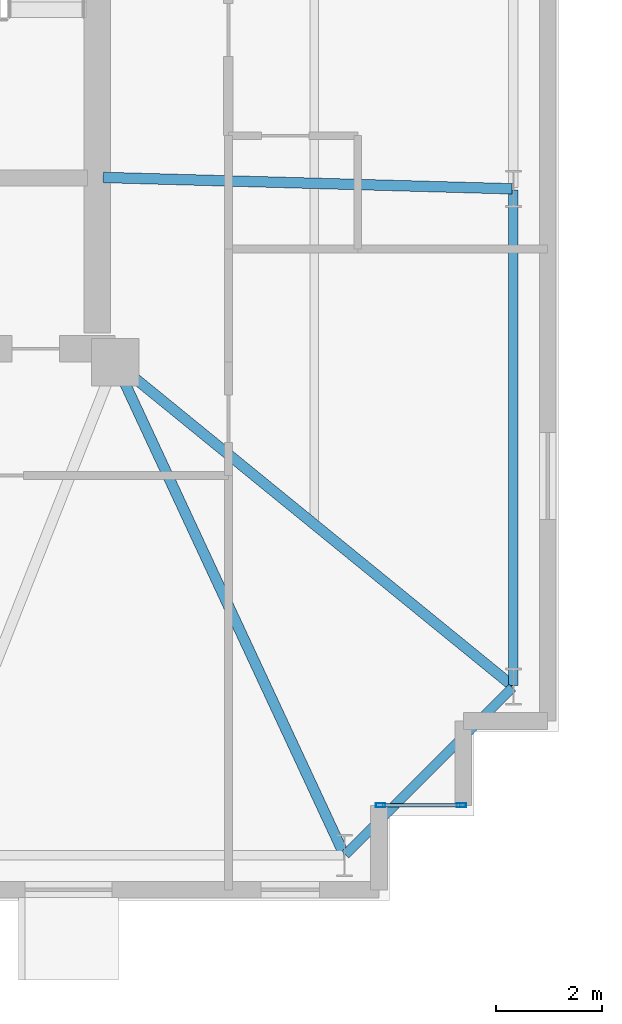
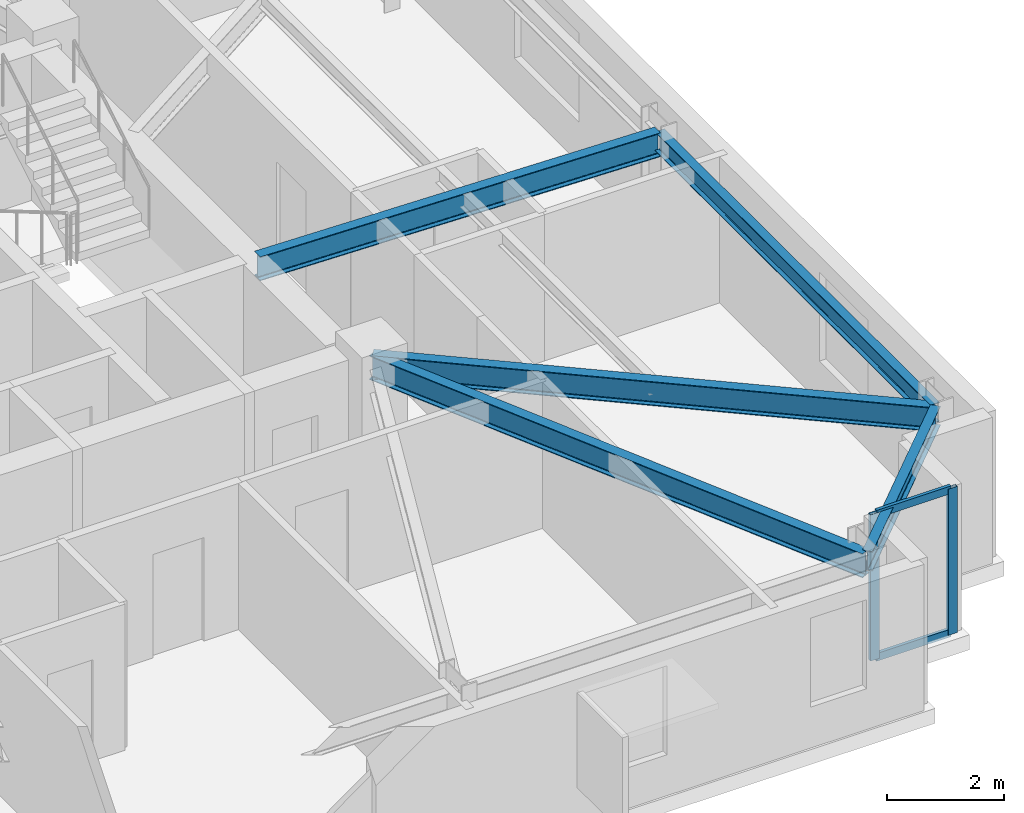
# One storey, part 5 of 18: 5 beams, 4 members, 1 element without a shape of its own.
"""IFC4 building model written with IfcOpenShell, lengths in metres."""

from ifc_helpers import new_model, si_unit, direction, frame, origin, origin_2d, place, context, subcontext, project, spatial, hollow_rectangle, i_section, extrude, material, layer, layer_set, material_profile, profile_set, type_object, element, aggregate, save


model = new_model("IFC4")

# Units and contexts
model_context = context("Model", 3, precision=1e-05, world=origin(), true_north=direction((0.0, 1.0)))
body_context = subcontext(model_context, "Body", "Model", "MODEL_VIEW")
ifc_project = project(units=[si_unit("LENGTHUNIT", "METRE"), si_unit("AREAUNIT", "SQUARE_METRE"), si_unit("VOLUMEUNIT", "CUBIC_METRE"), si_unit("PLANEANGLEUNIT", "RADIAN"), si_unit("MASSUNIT", "GRAM", prefix="KILO")], contexts=[model_context])

# Site, building, storey
site_placement = place(None, origin())
site = spatial("IfcSite", under=ifc_project, at=site_placement, CompositionType="ELEMENT")
building_placement = place(site_placement, origin())
building = spatial("IfcBuilding", under=site, at=building_placement, Name="Qobustan Lattice House", CompositionType="ELEMENT")
storey_placement = place(building_placement, frame((0.0, 0.0, 154.449951171875)))
storey = spatial("IfcBuildingStorey", under=building, at=storey_placement, Name="L43", CompositionType="ELEMENT", Elevation=154.449951171875)

# Beams
ifc_material_1 = material(Name="Steel S355", Category="steel")
ifc_material_profile_1 = material_profile(ifc_material_1, i_section(OverallWidth=0.199951171875, OverallDepth=0.5, WebThickness=0.01025390625, FlangeThickness=0.01611328125, FilletRadius=0.02099609375, at=origin_2d()), Name="IPE500")
ifc_profile_set_1 = profile_set([ifc_material_profile_1], Name="Steel S355")
beam_type_1 = type_object("IfcBeamType", Name="BM-FLG-IPE500", PredefinedType="USERDEFINED", material=ifc_profile_set_1)
beam_1_placement = place(storey_placement, frame((23.139404296875, -14.92724609375, 2.7900390625), z_axis=(-0.421827633168, 0.906676043521, 0.0), x_axis=(-0.906676043521, -0.421827633168, 0.0)))
element("IfcBeam", 1, at=beam_1_placement, inside=storey, type_object=beam_type_1, Name="L43 primary floor girder RAD-S7E", ObjectType="GIRDER", PredefinedType="USERDEFINED", context=body_context, shape_type="SweptSolid", body=[
    extrude(i_section(OverallWidth=0.199951171875, OverallDepth=0.5, WebThickness=0.01025390625, FlangeThickness=0.01611328125, FilletRadius=0.02099609375, at=origin_2d()), origin(), (0.0, 0.0, 1.0), 10.26220703125),
])
beam_2_placement = place(storey_placement, frame((26.324951171875, -2.31591796875, 2.7900390625), z_axis=(-0.999614226396, 0.027774059592, 0.0), x_axis=(-0.027774059592, -0.999614226396, 0.0)))
element("IfcBeam", 2, at=beam_2_placement, inside=storey, type_object=beam_type_1, Name="L43 primary floor girder RAD-E2", ObjectType="GIRDER", PredefinedType="USERDEFINED", context=body_context, shape_type="SweptSolid", body=[
    extrude(i_section(OverallWidth=0.199951171875, OverallDepth=0.5, WebThickness=0.01025390625, FlangeThickness=0.01611328125, FilletRadius=0.02099609375, at=origin_2d()), origin(), (0.0, 0.0, 1.0), 7.7529296875),
])
beam_3_placement = place(storey_placement, frame((26.33056640625, -11.734130859375, 2.7900390625), z_axis=(-0.775328675038, 0.631557951152, 0.0), x_axis=(-0.631557951152, -0.775328675038, 0.0)))
element("IfcBeam", 3, at=beam_3_placement, inside=storey, type_object=beam_type_1, Name="L43 primary floor girder RAD-E1", ObjectType="GIRDER", PredefinedType="USERDEFINED", context=body_context, shape_type="SweptSolid", body=[
    extrude(i_section(OverallWidth=0.199951171875, OverallDepth=0.5, WebThickness=0.01025390625, FlangeThickness=0.01611328125, FilletRadius=0.02099609375, at=origin_2d()), origin(), (0.0, 0.0, 1.0), 9.687744140625),
])
ifc_material_2 = material(Name="Steel S355", Category="steel")
ifc_material_profile_2 = material_profile(ifc_material_2, i_section(OverallWidth=0.179931640625, OverallDepth=0.39990234375, WebThickness=0.008544921875, FlangeThickness=0.013427734375, FilletRadius=0.02099609375, at=origin_2d()), Name="IPE400")
ifc_profile_set_2 = profile_set([ifc_material_profile_2], Name="Steel S355")
beam_type_2 = type_object("IfcBeamType", Name="BM-SPD-IPE400", PredefinedType="SPANDREL", material=ifc_profile_set_2)
beam_4_placement = place(storey_placement, frame((23.167724609375, -14.932373046875, 2.840087890625), z_axis=(0.707079505568, 0.707134055753, 0.0), x_axis=(-0.707134055753, 0.707079505568, 0.0)))
element("IfcBeam", 4, at=beam_4_placement, inside=storey, type_object=beam_type_2, Name="L43 perimeter spandrel S7-E1", PredefinedType="SPANDREL", context=body_context, shape_type="SweptSolid", body=[
    extrude(i_section(OverallWidth=0.179931640625, OverallDepth=0.39990234375, WebThickness=0.008544921875, FlangeThickness=0.013427734375, FilletRadius=0.02099609375, at=origin_2d()), origin(), (0.0, 0.0, 1.0), 4.4755859375),
])
beam_5_placement = place(storey_placement, frame((26.35009765625, -11.72509765625, 2.840087890625), z_axis=(0.0, 1.0, 0.0), x_axis=(-1.0, 0.0, 0.0)))
element("IfcBeam", 5, at=beam_5_placement, inside=storey, type_object=beam_type_2, Name="L43 perimeter spandrel E1-E2", PredefinedType="SPANDREL", context=body_context, shape_type="SweptSolid", body=[
    extrude(i_section(OverallWidth=0.179931640625, OverallDepth=0.39990234375, WebThickness=0.008544921875, FlangeThickness=0.013427734375, FilletRadius=0.02099609375, at=origin_2d()), origin(), (0.0, 0.0, 1.0), 9.38330078125),
])

# Curtain wall, members
ifc_material_3 = material(Name="Anodised aluminium and low-E glazing", Category="aluminium")
ifc_layer = layer(ifc_material_3, 0.219970703125)
ifc_layer_set = layer_set([ifc_layer], Name="Anodised aluminium and low-E glazing")
curtain_wall_type = type_object("IfcCurtainWallType", Name="CW-FAC-02", PredefinedType="USERDEFINED", material=ifc_layer_set)
curtain_wall_placement = place(storey_placement, origin())
curtain_wall = element("IfcCurtainWall", 6, at=curtain_wall_placement, inside=storey, type_object=curtain_wall_type, Name="L43 serrated corner faceted glazing 18", ObjectType="CURTAIN WALL", PredefinedType="USERDEFINED")
ifc_material_4 = material(Name="Anodised aluminium EN AW-6063 T6", Category="aluminium")
ifc_material_profile_3 = material_profile(ifc_material_4, hollow_rectangle(XDim=0.070068359375, YDim=0.179931640625, WallThickness=0.00439453125, at=origin_2d()), Name="CWM-180x70")
ifc_profile_set_3 = profile_set([ifc_material_profile_3], Name="Anodised aluminium EN AW-6063 T6")
member_type_1 = type_object("IfcMemberType", Name="CWM-STD-180", PredefinedType="MULLION", material=ifc_profile_set_3)
member_1_placement = place(storey_placement, frame((25.364990234375, -14.0, 0.0), z_axis=(0.0, 0.0, 1.0), x_axis=(0.0, -1.0, 0.0)))
member_1 = element("IfcMember", 7, at=member_1_placement, type_object=member_type_1, Name="CW-F2 mullion 1", PredefinedType="MULLION", context=body_context, shape_type="SweptSolid", body=[
    extrude(hollow_rectangle(XDim=0.070068359375, YDim=0.179931640625, WallThickness=0.00439453125, at=origin_2d()), origin(), (0.0, 0.0, 1.0), 3.0400390625),
])
member_2_placement = place(storey_placement, frame((23.8349609375, -14.0, 0.0), z_axis=(0.0, 0.0, 1.0), x_axis=(0.0, -1.0, 0.0)))
member_2 = element("IfcMember", 8, at=member_2_placement, type_object=member_type_1, Name="CW-F2 mullion 2", PredefinedType="MULLION", context=body_context, shape_type="SweptSolid", body=[
    extrude(hollow_rectangle(XDim=0.070068359375, YDim=0.179931640625, WallThickness=0.00439453125, at=origin_2d()), origin(), (0.0, 0.0, 1.0), 3.0400390625),
])
ifc_material_5 = material(Name="Anodised aluminium EN AW-6063 T6", Category="aluminium")
ifc_material_profile_4 = material_profile(ifc_material_5, hollow_rectangle(XDim=0.06494140625, YDim=0.159912109375, WallThickness=0.00390625, at=origin_2d()), Name="CWT-160x65")
ifc_profile_set_4 = profile_set([ifc_material_profile_4], Name="Anodised aluminium EN AW-6063 T6")
member_type_2 = type_object("IfcMemberType", Name="CWT-HOR-160", PredefinedType="USERDEFINED", material=ifc_profile_set_4)
member_3_placement = place(storey_placement, frame((25.330078125, -14.0, 0.032470703125), z_axis=(-1.0, 0.0, 0.0), x_axis=(0.0, -1.0, 0.0)))
member_3 = element("IfcMember", 9, at=member_3_placement, type_object=member_type_2, Name="CW-F2 transom 1.1", ObjectType="TRANSOM", PredefinedType="USERDEFINED", context=body_context, shape_type="SweptSolid", body=[
    extrude(hollow_rectangle(XDim=0.06494140625, YDim=0.159912109375, WallThickness=0.00390625, at=origin_2d()), origin(), (0.0, 0.0, 1.0), 1.4599609375),
])
member_4_placement = place(storey_placement, frame((25.330078125, -14.0, 3.007568359375), z_axis=(-1.0, 0.0, 0.0), x_axis=(0.0, -1.0, 0.0)))
member_4 = element("IfcMember", 10, at=member_4_placement, type_object=member_type_2, Name="CW-F2 transom 1.2", ObjectType="TRANSOM", PredefinedType="USERDEFINED", context=body_context, shape_type="SweptSolid", body=[
    extrude(hollow_rectangle(XDim=0.06494140625, YDim=0.159912109375, WallThickness=0.00390625, at=origin_2d()), origin(), (0.0, 0.0, 1.0), 1.4599609375),
])
aggregate(curtain_wall, [member_1, member_2, member_3, member_4])

save(model, "model.ifc")
